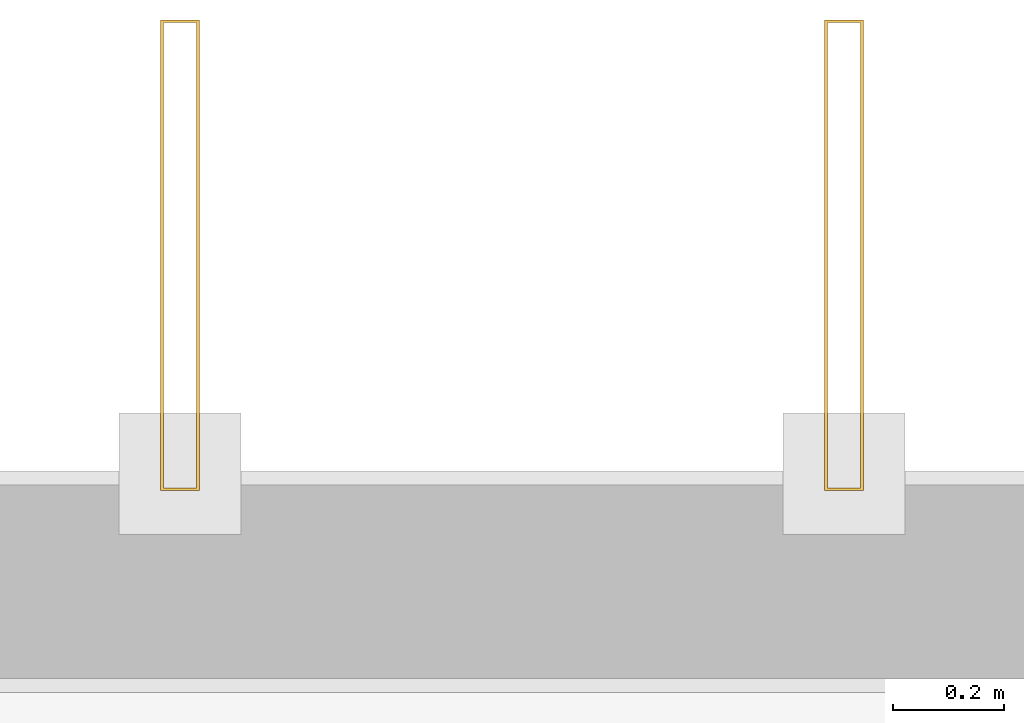
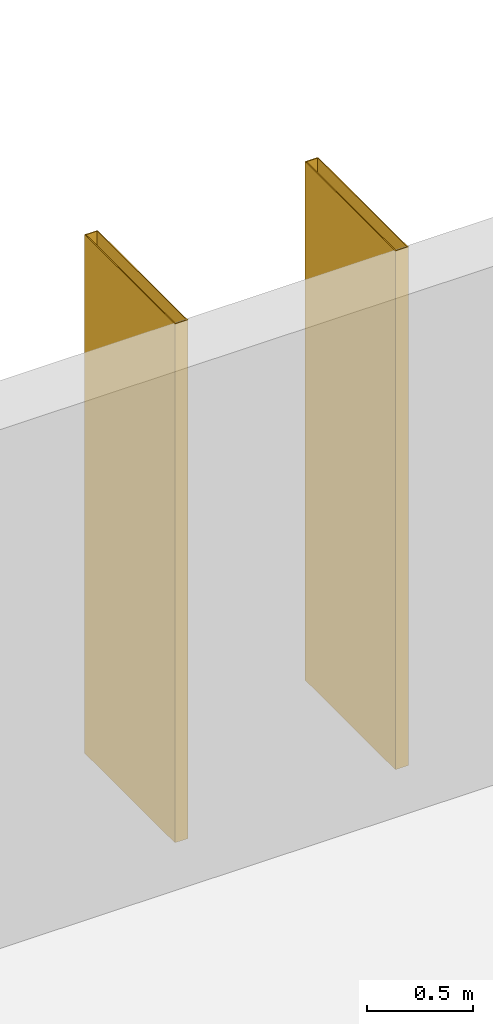
# One storey, part 46 of 47: 2 shading devices.
"""IFC4 building model written with IfcOpenShell, lengths in metres."""

from ifc_helpers import new_model, si_unit, direction, frame, origin, origin_2d, place, context, subcontext, project, spatial, hollow_rectangle, extrude, material, material_profile, profile_set, type_object, element, save


model = new_model("IFC4")

# Units and contexts
model_context = context("Model", 3, precision=1e-05, world=origin(), true_north=direction((0.0, 1.0)))
body_context = subcontext(model_context, "Body", "Model", "MODEL_VIEW")
ifc_project = project(units=[si_unit("LENGTHUNIT", "METRE"), si_unit("AREAUNIT", "SQUARE_METRE"), si_unit("VOLUMEUNIT", "CUBIC_METRE"), si_unit("PLANEANGLEUNIT", "RADIAN"), si_unit("MASSUNIT", "GRAM", prefix="KILO")], contexts=[model_context])

# Site, building, storey
site_placement = place(None, origin())
site = spatial("IfcSite", under=ifc_project, at=site_placement, CompositionType="ELEMENT")
building_placement = place(site_placement, origin())
building = spatial("IfcBuilding", under=site, at=building_placement, Name="Mawjan Specialist Oncology Clinic", CompositionType="ELEMENT")
storey_placement = place(building_placement, frame((0.0, 0.0, 9.5)))
storey = spatial("IfcBuildingStorey", under=building, at=storey_placement, Name="L02", CompositionType="ELEMENT", Elevation=9.5)

# Shading devices
ifc_material = material(Name="Bronze-anodised aluminium 6063-T6", Category="aluminium")
ifc_material_profile = material_profile(ifc_material, hollow_rectangle(XDim=0.070068359375, YDim=0.85009765625, WallThickness=0.0048828125, at=origin_2d()), Name="FIN 850x70x5", Category="aluminium")
ifc_profile_set = profile_set([ifc_material_profile], Name="Bronze-anodised aluminium 6063-T6")
shading_device_type = type_object("IfcShadingDeviceType", Name="SF-850", PredefinedType="USERDEFINED", material=ifc_profile_set)
for number, where, z_axis, x_axis, name in (
    (1, (81.0, 106.389892578125, 0.0), (0.0, 0.0, 1.0), (1.0, 0.0, 0.0), "L02 Vertical Solar Fin SF-0039"),
    (2, (82.199951171875, 106.389892578125, 0.0), (0.0, 0.0, 1.0), (1.0, 0.0, 0.0), "L02 Vertical Solar Fin SF-0040"),
):
    element("IfcShadingDevice", number, at=place(storey_placement, frame(where, z_axis=z_axis, x_axis=x_axis)), inside=storey, type_object=shading_device_type, Name=name, ObjectType="SOLAR FIN", PredefinedType="USERDEFINED", context=body_context, shape_type="SweptSolid", body=[
        extrude(hollow_rectangle(XDim=0.070068359375, YDim=0.85009765625, WallThickness=0.0048828125, at=origin_2d()), origin(), (0.0, 0.0, 1.0), 2.985107421875),
    ])

save(model, "model.ifc")
